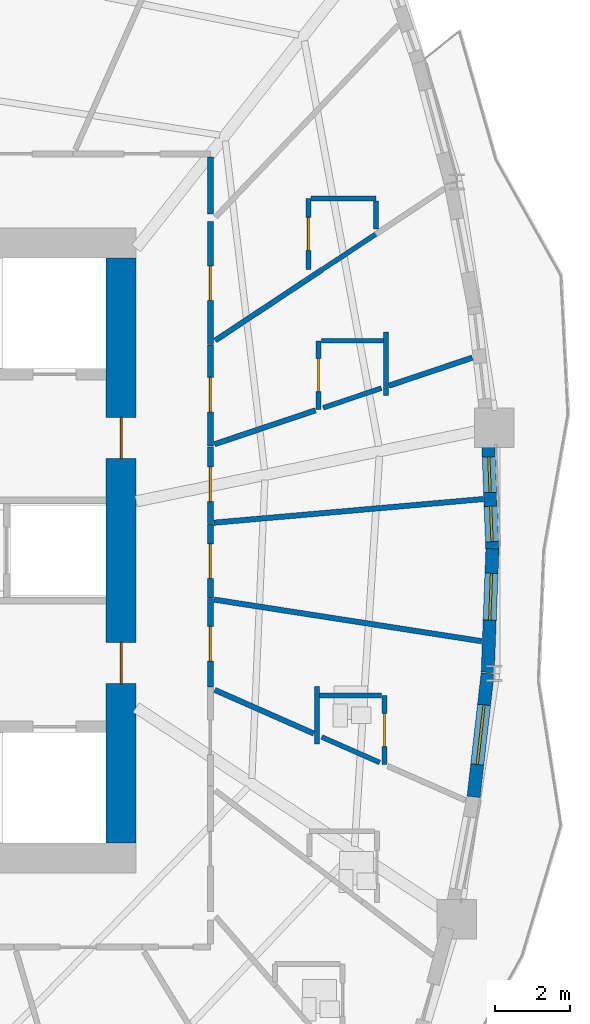
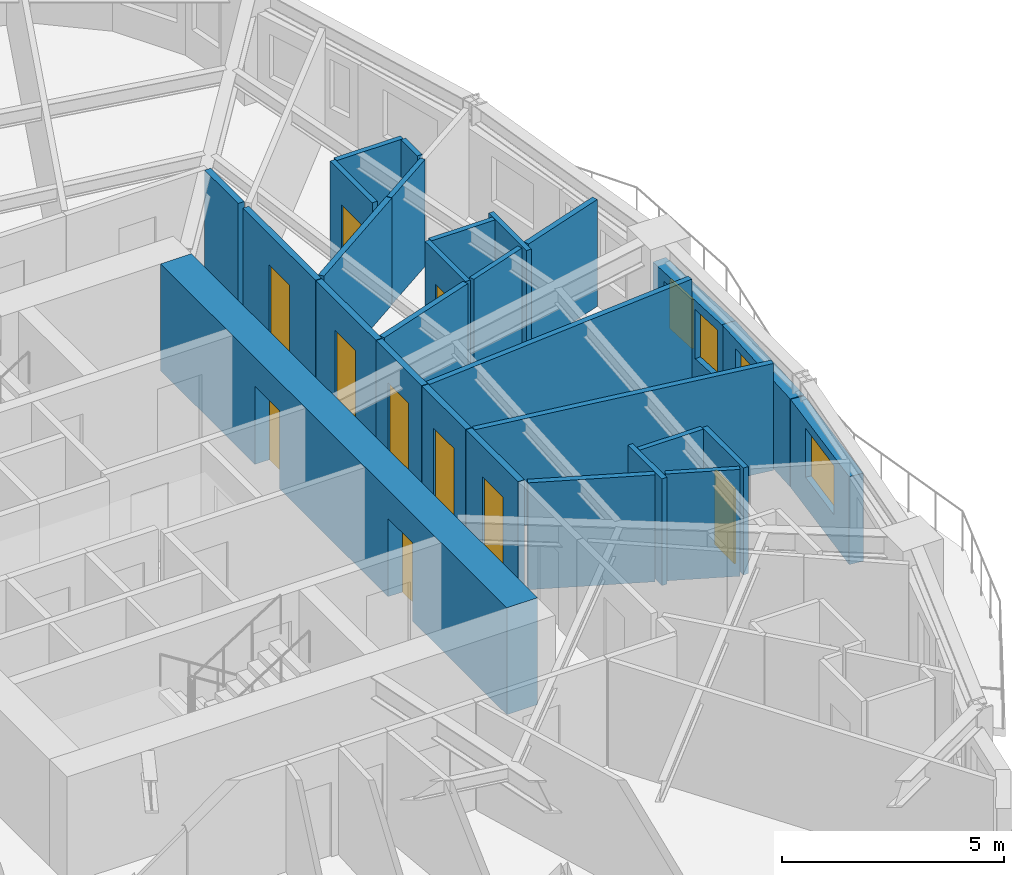
# One storey, part 7 of 13: 28 walls, 10 doors, 4 windows, 14 openings.
"""IFC4 building model written with IfcOpenShell, lengths in metres."""

from ifc_helpers import new_model, si_unit, direction, frame, frame_2d, origin, place, context, subcontext, project, spatial, rectangle, extrude, source, transform, mapped, material, layer, layer_set, type_object, element, fill, save


model = new_model("IFC4")

# Units and contexts
model_context = context("Model", 3, precision=1e-05, world=origin(), true_north=direction((0.0, 1.0)))
body_context = subcontext(model_context, "Body", "Model", "MODEL_VIEW")
ifc_project = project(units=[si_unit("LENGTHUNIT", "METRE"), si_unit("AREAUNIT", "SQUARE_METRE"), si_unit("VOLUMEUNIT", "CUBIC_METRE"), si_unit("PLANEANGLEUNIT", "RADIAN"), si_unit("MASSUNIT", "GRAM", prefix="KILO")], contexts=[model_context])

# Site, building, storey
site_placement = place(None, origin())
site = spatial("IfcSite", under=ifc_project, at=site_placement, CompositionType="ELEMENT")
building_placement = place(site_placement, origin())
building = spatial("IfcBuilding", under=site, at=building_placement, Name="Qafzar Sky-Pleat Residences", CompositionType="ELEMENT")
storey_placement = place(building_placement, frame((0.0, 0.0, 59.0)))
storey = spatial("IfcBuildingStorey", under=building, at=storey_placement, Name="L17", CompositionType="ELEMENT", Elevation=59.0)

# Wall, opening, door
ifc_material_1 = material(Name="Acoustic gypsum plasterboard partition", Category="gypsum")
ifc_layer_1 = layer(ifc_material_1, 0.159912109375)
ifc_layer_set_1 = layer_set([ifc_layer_1], Name="Acoustic gypsum plasterboard partition")
wall_type_1 = type_object("IfcWallType", Name="PART-COR-160", PredefinedType="PARTITIONING", material=ifc_layer_set_1)
wall_1_placement = place(storey_placement, frame((38.679931640625, 34.76904296875, 0.0), z_axis=(0.0, 0.0, 1.0), x_axis=(0.0, -1.0, 0.0)))
wall_1 = element("IfcWall", 1, at=wall_1_placement, inside=storey, type_object=wall_type_1, Name="L17 Partition Wall PART-L17-PW-009", PredefinedType="PARTITIONING", context=body_context, shape_type="SweptSolid", body=[
    extrude(rectangle(XDim=3.27099609375, YDim=0.159912109375, at=frame_2d((1.635498046875, 0.0))), origin(), (0.0, 0.0, 1.0), 2.93994140625),
])
opening_1_placement = place(wall_1_placement, frame((1.177001953125, 0.0, 0.0)))
opening_1 = element("IfcOpeningElement", 2, at=opening_1_placement, cuts=wall_1, Name="Opening ID-04", PredefinedType="OPENING", context=body_context, shape_type="SweptSolid", body=[
    extrude(rectangle(XDim=0.919921875, YDim=2.10009765625, at=frame_2d((0.4599609375, 1.050048828125))), frame((0.0, 0.08984375, 0.0), z_axis=(0.0, -1.0, 0.0), x_axis=(1.0, 0.0, 0.0)), (0.0, 0.0, 1.0), 0.179931640625),
])
ifc_material_2 = material(Name="Timber-faced fire door", Category="wood")
door_type_1 = type_object("IfcDoorType", Name="DR-BED-920", OperationType="NOTDEFINED", PredefinedType="DOOR", material=ifc_material_2)
shared_shape_1 = source(origin(), body_context, "Body", "SweptSolid", [
    extrude(rectangle(XDim=0.919921875, YDim=2.10009765625, at=frame_2d((0.4599609375, 1.050048828125))), frame((0.0, 0.02490234375, 0.0), z_axis=(0.0, -1.0, 0.0), x_axis=(1.0, 0.0, 0.0)), (0.0, 0.0, 1.0), 0.050048828125),
])
door_1_placement = place(opening_1_placement, origin())
door_1 = element("IfcDoor", 3, at=door_1_placement, inside=storey, type_object=door_type_1, Name="L17 Co-Living Bedroom 7 Door", OperationType="SINGLE_SWING_LEFT", OverallHeight=2.10009765625, OverallWidth=0.919921875, PredefinedType="DOOR", context=body_context, shape_type="MappedRepresentation", body=[
    mapped(shared_shape_1, transform((0.0, 0.0, 0.0), x_axis=(1.0, 0.0, 0.0), y_axis=(0.0, 1.0, 0.0), z_axis=(0.0, 0.0, 1.0), scale=1.0)),
])
fill(opening_1, door_1)

wall_2_placement = place(storey_placement, frame((38.679931640625, 31.48291015625, 0.0), z_axis=(0.0, 0.0, 1.0), x_axis=(0.0, -1.0, 0.0)))
wall_2 = element("IfcWall", 4, at=wall_2_placement, inside=storey, type_object=wall_type_1, Name="L17 Partition Wall PART-L17-PW-012", PredefinedType="PARTITIONING", context=body_context, shape_type="SweptSolid", body=[
    extrude(rectangle(XDim=2.701904296875, YDim=0.159912109375, at=frame_2d((1.35107421875, 0.0))), origin(), (0.0, 0.0, 1.0), 2.93994140625),
])
opening_2_placement = place(wall_2_placement, frame((0.866455078125, 0.0, 0.0)))
opening_2 = element("IfcOpeningElement", 5, at=opening_2_placement, cuts=wall_2, Name="Opening ID-04", PredefinedType="OPENING", context=body_context, shape_type="SweptSolid", body=[
    extrude(rectangle(XDim=0.919921875, YDim=2.10009765625, at=frame_2d((0.4599609375, 1.050048828125))), frame((0.0, 0.08984375, 0.0), z_axis=(0.0, -1.0, 0.0), x_axis=(1.0, 0.0, 0.0)), (0.0, 0.0, 1.0), 0.179931640625),
])
door_2_placement = place(opening_2_placement, origin())
door_2 = element("IfcDoor", 6, at=door_2_placement, inside=storey, type_object=door_type_1, Name="L17 Co-Living Bedroom 8 Door", OperationType="SINGLE_SWING_RIGHT", OverallHeight=2.10009765625, OverallWidth=0.919921875, PredefinedType="DOOR", context=body_context, shape_type="MappedRepresentation", body=[
    mapped(shared_shape_1, transform((0.0, 0.0, 0.0), x_axis=(1.0, 0.0, 0.0), y_axis=(0.0, 1.0, 0.0), z_axis=(0.0, 0.0, 1.0), scale=1.0)),
])
fill(opening_2, door_2)

wall_3_placement = place(storey_placement, frame((38.679931640625, 24.719970703125, 0.0), z_axis=(0.0, 0.0, 1.0), x_axis=(0.0, -1.0, 0.0)))
wall_3 = element("IfcWall", 7, at=wall_3_placement, inside=storey, type_object=wall_type_1, Name="L17 Partition Wall PART-L17-PW-015", PredefinedType="PARTITIONING", context=body_context, shape_type="SweptSolid", body=[
    extrude(rectangle(XDim=2.35693359375, YDim=0.159912109375, at=frame_2d((1.178466796875, 0.0))), origin(), (0.0, 0.0, 1.0), 2.93994140625),
])
opening_3_placement = place(wall_3_placement, frame((0.742431640625, 0.0, 0.0)))
opening_3 = element("IfcOpeningElement", 8, at=opening_3_placement, cuts=wall_3, Name="Opening ID-04", PredefinedType="OPENING", context=body_context, shape_type="SweptSolid", body=[
    extrude(rectangle(XDim=0.919921875, YDim=2.10009765625, at=frame_2d((0.4599609375, 1.050048828125))), frame((0.0, 0.08984375, 0.0), z_axis=(0.0, -1.0, 0.0), x_axis=(1.0, 0.0, 0.0)), (0.0, 0.0, 1.0), 0.179931640625),
])
door_3_placement = place(opening_3_placement, origin())
door_3 = element("IfcDoor", 9, at=door_3_placement, inside=storey, type_object=door_type_1, Name="L17 Co-Living Bedroom 4 Door", OperationType="SINGLE_SWING_LEFT", OverallHeight=2.10009765625, OverallWidth=0.919921875, PredefinedType="DOOR", context=body_context, shape_type="MappedRepresentation", body=[
    mapped(shared_shape_1, transform((0.0, 0.0, 0.0), x_axis=(1.0, 0.0, 0.0), y_axis=(0.0, 1.0, 0.0), z_axis=(0.0, 0.0, 1.0), scale=1.0)),
])
fill(opening_3, door_3)

wall_4_placement = place(storey_placement, frame((38.679931640625, 28.76611328125, 0.0), z_axis=(0.0, 0.0, 1.0), x_axis=(0.0, -1.0, 0.0)))
wall_4 = element("IfcWall", 10, at=wall_4_placement, inside=storey, type_object=wall_type_1, Name="L17 Partition Wall PART-L17-PW-017", PredefinedType="PARTITIONING", context=body_context, shape_type="SweptSolid", body=[
    extrude(rectangle(XDim=2.049072265625, YDim=0.159912109375, at=frame_2d((1.0244140625, 0.0))), origin(), (0.0, 0.0, 1.0), 2.93994140625),
])
opening_4_placement = place(wall_4_placement, frame((0.54150390625, 0.0, 0.0)))
opening_4 = element("IfcOpeningElement", 11, at=opening_4_placement, cuts=wall_4, Name="Opening ID-04", PredefinedType="OPENING", context=body_context, shape_type="SweptSolid", body=[
    extrude(rectangle(XDim=0.919921875, YDim=2.10009765625, at=frame_2d((0.4599609375, 1.050048828125))), frame((0.0, 0.08984375, 0.0), z_axis=(0.0, -1.0, 0.0), x_axis=(1.0, 0.0, 0.0)), (0.0, 0.0, 1.0), 0.179931640625),
])
door_4_placement = place(opening_4_placement, origin())
door_4 = element("IfcDoor", 12, at=door_4_placement, inside=storey, type_object=door_type_1, Name="L17 Co-Living Bedroom 5 Door", OperationType="SINGLE_SWING_LEFT", OverallHeight=2.10009765625, OverallWidth=0.919921875, PredefinedType="DOOR", context=body_context, shape_type="MappedRepresentation", body=[
    mapped(shared_shape_1, transform((0.0, 0.0, 0.0), x_axis=(1.0, 0.0, 0.0), y_axis=(0.0, 1.0, 0.0), z_axis=(0.0, 0.0, 1.0), scale=1.0)),
])
fill(opening_4, door_4)

wall_5_placement = place(storey_placement, frame((38.679931640625, 26.701904296875, 0.0), z_axis=(0.0, 0.0, 1.0), x_axis=(0.0, -1.0, 0.0)))
wall_5 = element("IfcWall", 13, at=wall_5_placement, inside=storey, type_object=wall_type_1, Name="L17 Partition Wall PART-L17-PW-018", PredefinedType="PARTITIONING", context=body_context, shape_type="SweptSolid", body=[
    extrude(rectangle(XDim=1.966796875, YDim=0.159912109375, at=frame_2d((0.9833984375, 0.0))), origin(), (0.0, 0.0, 1.0), 2.93994140625),
])
opening_5_placement = place(wall_5_placement, frame((0.52392578125, 0.0, 0.0)))
opening_5 = element("IfcOpeningElement", 14, at=opening_5_placement, cuts=wall_5, Name="Opening ID-04", PredefinedType="OPENING", context=body_context, shape_type="SweptSolid", body=[
    extrude(rectangle(XDim=0.919921875, YDim=2.10009765625, at=frame_2d((0.4599609375, 1.050048828125))), frame((0.0, 0.08984375, 0.0), z_axis=(0.0, -1.0, 0.0), x_axis=(1.0, 0.0, 0.0)), (0.0, 0.0, 1.0), 0.179931640625),
])
door_5_placement = place(opening_5_placement, origin())
door_5 = element("IfcDoor", 15, at=door_5_placement, inside=storey, type_object=door_type_1, Name="L17 Co-Living Bedroom 6 Door", OperationType="SINGLE_SWING_RIGHT", OverallHeight=2.10009765625, OverallWidth=0.919921875, PredefinedType="DOOR", context=body_context, shape_type="MappedRepresentation", body=[
    mapped(shared_shape_1, transform((0.0, 0.0, 0.0), x_axis=(1.0, 0.0, 0.0), y_axis=(0.0, 1.0, 0.0), z_axis=(0.0, 0.0, 1.0), scale=1.0)),
])
fill(opening_5, door_5)

# Walls
wall_6_placement = place(storey_placement, frame((38.679931640625, 34.981201171875, 0.0), z_axis=(0.0, 0.0, 1.0), x_axis=(0.0, 1.0, 0.0)))
element("IfcWall", 16, at=wall_6_placement, inside=storey, type_object=wall_type_1, Name="L17 Partition Wall PART-L17-PW-072", PredefinedType="PARTITIONING", context=body_context, shape_type="SweptSolid", body=[
    extrude(rectangle(XDim=1.5107421875, YDim=0.159912109375, at=frame_2d((0.75537109375, 0.0))), origin(), (0.0, 0.0, 1.0), 2.93994140625),
])
ifc_layer_2 = layer(ifc_material_1, 0.14501953125)
ifc_layer_set_2 = layer_set([ifc_layer_2], Name="Acoustic gypsum plasterboard partition")
wall_type_2 = type_object("IfcWallType", Name="PART-UNIT-145", PredefinedType="PARTITIONING", material=ifc_layer_set_2)
wall_7_placement = place(storey_placement, frame((38.779052734375, 24.688720703125, 0.0), z_axis=(0.0, 0.0, 1.0), x_axis=(0.988134938683, -0.153588225311, 0.0)))
element("IfcWall", 17, at=wall_7_placement, inside=storey, type_object=wall_type_2, Name="L17 Partition Wall PART-L17-PW-044", PredefinedType="PARTITIONING", context=body_context, shape_type="SweptSolid", body=[
    extrude(rectangle(XDim=7.224609375, YDim=0.14501953125, at=frame_2d((3.6123046875, 0.0))), origin(), (0.0, 0.0, 1.0), 2.93994140625),
])
wall_8_placement = place(storey_placement, frame((38.7744140625, 26.740234375, 0.0), z_axis=(0.0, 0.0, 1.0), x_axis=(0.99617095107, 0.087426747871, 0.0)))
element("IfcWall", 18, at=wall_8_placement, inside=storey, type_object=wall_type_2, Name="L17 Partition Wall PART-L17-PW-045", PredefinedType="PARTITIONING", context=body_context, shape_type="SweptSolid", body=[
    extrude(rectangle(XDim=7.2158203125, YDim=0.14501953125, at=frame_2d((3.60791015625, 0.0))), origin(), (0.0, 0.0, 1.0), 2.93994140625),
])
wall_9_placement = place(storey_placement, frame((38.806640625, 31.599853515625, 0.0), z_axis=(0.0, 0.0, 1.0), x_axis=(0.833690999351, 0.552231217518, 0.0)))
element("IfcWall", 19, at=wall_9_placement, inside=storey, type_object=wall_type_2, Name="L17 Partition Wall PART-L17-PW-050", PredefinedType="PARTITIONING", context=body_context, shape_type="SweptSolid", body=[
    extrude(rectangle(XDim=3.42626953125, YDim=0.14501953125, at=frame_2d((1.713134765625, 0.0))), origin(), (0.0, 0.0, 1.0), 2.93994140625),
])
wall_10_placement = place(storey_placement, frame((38.79638671875, 22.27978515625, 0.0), z_axis=(0.0, 0.0, 1.0), x_axis=(0.9151327572, -0.403152622092, 0.0)))
element("IfcWall", 20, at=wall_10_placement, inside=storey, type_object=wall_type_2, Name="L17 Partition Wall PART-L17-PW-053", PredefinedType="PARTITIONING", context=body_context, shape_type="SweptSolid", body=[
    extrude(rectangle(XDim=2.885009765625, YDim=0.14501953125, at=frame_2d((1.4423828125, 0.0))), origin(), (0.0, 0.0, 1.0), 2.93994140625),
])
wall_11_placement = place(storey_placement, frame((38.790771484375, 28.833984375, 0.0), z_axis=(0.0, 0.0, 1.0), x_axis=(0.94801935148, 0.318212679226, 0.0)))
element("IfcWall", 21, at=wall_11_placement, inside=storey, type_object=wall_type_2, Name="L17 Partition Wall PART-L17-PW-054", PredefinedType="PARTITIONING", context=body_context, shape_type="SweptSolid", body=[
    extrude(rectangle(XDim=2.84033203125, YDim=0.14501953125, at=frame_2d((1.420166015625, 0.0))), origin(), (0.0, 0.0, 1.0), 2.93994140625),
])
wall_12_placement = place(storey_placement, frame((43.444580078125, 30.39599609375, 0.0), z_axis=(0.0, 0.0, 1.0), x_axis=(0.947971837268, 0.318354198568, 0.0)))
element("IfcWall", 22, at=wall_12_placement, inside=storey, type_object=wall_type_2, Name="L17 Partition Wall PART-L17-PW-056", PredefinedType="PARTITIONING", context=body_context, shape_type="SweptSolid", body=[
    extrude(rectangle(XDim=2.34130859375, YDim=0.14501953125, at=frame_2d((1.170654296875, 0.0))), origin(), (0.0, 0.0, 1.0), 2.93994140625),
])

# Wall, opening, door
ifc_material_3 = material(Name="Moisture-resistant gypsum partition", Category="gypsum")
ifc_layer_3 = layer(ifc_material_3, 0.1298828125)
ifc_layer_set_3 = layer_set([ifc_layer_3], Name="Moisture-resistant gypsum partition")
wall_type_3 = type_object("IfcWallType", Name="PART-WET-130", PredefinedType="PARTITIONING", material=ifc_layer_set_3)
wall_13_placement = place(storey_placement, frame((41.2939453125, 35.39208984375, 0.0), z_axis=(0.0, 0.0, 1.0), x_axis=(0.0, -1.0, 0.0)))
wall_13 = element("IfcWall", 23, at=wall_13_placement, inside=storey, type_object=wall_type_3, Name="L17 Partition Wall PART-L17-PW-019", PredefinedType="PARTITIONING", context=body_context, shape_type="SweptSolid", body=[
    extrude(rectangle(XDim=1.900146484375, YDim=0.1298828125, at=frame_2d((0.9501953125, 0.0))), origin(), (0.0, 0.0, 1.0), 2.93994140625),
])
opening_6_placement = place(wall_13_placement, frame((0.510009765625, 0.0, 0.0)))
opening_6 = element("IfcOpeningElement", 24, at=opening_6_placement, cuts=wall_13, Name="Opening ID-07", PredefinedType="OPENING", context=body_context, shape_type="SweptSolid", body=[
    extrude(rectangle(XDim=0.8798828125, YDim=2.050048828125, at=frame_2d((0.43994140625, 1.02490234375))), frame((0.0, 0.074951171875, 0.0), z_axis=(0.0, -1.0, 0.0), x_axis=(1.0, 0.0, 0.0)), (0.0, 0.0, 1.0), 0.14990234375),
])
door_type_2 = type_object("IfcDoorType", Name="DR-WET-880", OperationType="NOTDEFINED", PredefinedType="DOOR", material=ifc_material_2)
shared_shape_2 = source(origin(), body_context, "Body", "SweptSolid", [
    extrude(rectangle(XDim=0.8798828125, YDim=2.050048828125, at=frame_2d((0.43994140625, 1.02490234375))), frame((0.0, 0.02490234375, 0.0), z_axis=(0.0, -1.0, 0.0), x_axis=(1.0, 0.0, 0.0)), (0.0, 0.0, 1.0), 0.050048828125),
])
door_6_placement = place(opening_6_placement, origin())
door_6 = element("IfcDoor", 25, at=door_6_placement, inside=storey, type_object=door_type_2, Name="L17 En-suite Bathroom 7 Door", OperationType="SINGLE_SWING_LEFT", OverallHeight=2.050048828125, OverallWidth=0.8798828125, PredefinedType="DOOR", context=body_context, shape_type="MappedRepresentation", body=[
    mapped(shared_shape_2, transform((0.0, 0.0, 0.0), x_axis=(1.0, 0.0, 0.0), y_axis=(0.0, 1.0, 0.0), z_axis=(0.0, 0.0, 1.0), scale=1.0)),
])
fill(opening_6, door_6)

wall_14_placement = place(storey_placement, frame((43.322998046875, 20.285888671875, 0.0), z_axis=(0.0, 0.0, 1.0), x_axis=(0.0, 1.0, 0.0)))
wall_14 = element("IfcWall", 26, at=wall_14_placement, inside=storey, type_object=wall_type_3, Name="L17 Partition Wall PART-L17-PW-025", PredefinedType="PARTITIONING", context=body_context, shape_type="SweptSolid", body=[
    extrude(rectangle(XDim=1.84521484375, YDim=0.1298828125, at=frame_2d((0.922607421875, 0.0))), origin(), (0.0, 0.0, 1.0), 2.93994140625),
])
opening_7_placement = place(wall_14_placement, frame((0.482421875, 0.0, 0.0)))
opening_7 = element("IfcOpeningElement", 27, at=opening_7_placement, cuts=wall_14, Name="Opening ID-07", PredefinedType="OPENING", context=body_context, shape_type="SweptSolid", body=[
    extrude(rectangle(XDim=0.8798828125, YDim=2.050048828125, at=frame_2d((0.43994140625, 1.02490234375))), frame((0.0, 0.074951171875, 0.0), z_axis=(0.0, -1.0, 0.0), x_axis=(1.0, 0.0, 0.0)), (0.0, 0.0, 1.0), 0.14990234375),
])
door_7_placement = place(opening_7_placement, origin())
door_7 = element("IfcDoor", 28, at=door_7_placement, inside=storey, type_object=door_type_2, Name="L17 En-suite Bathroom 4 Door", OperationType="SINGLE_SWING_LEFT", OverallHeight=2.050048828125, OverallWidth=0.8798828125, PredefinedType="DOOR", context=body_context, shape_type="MappedRepresentation", body=[
    mapped(shared_shape_2, transform((0.0, 0.0, 0.0), x_axis=(1.0, 0.0, 0.0), y_axis=(0.0, 1.0, 0.0), z_axis=(0.0, 0.0, 1.0), scale=1.0)),
])
fill(opening_7, door_7)

wall_15_placement = place(storey_placement, frame((41.56396484375, 31.593994140625, 0.0), z_axis=(0.0, 0.0, 1.0), x_axis=(0.0, -1.0, 0.0)))
wall_15 = element("IfcWall", 29, at=wall_15_placement, inside=storey, type_object=wall_type_3, Name="L17 Partition Wall PART-L17-PW-026", PredefinedType="PARTITIONING", context=body_context, shape_type="SweptSolid", body=[
    extrude(rectangle(XDim=1.8291015625, YDim=0.1298828125, at=frame_2d((0.91455078125, 0.0))), origin(), (0.0, 0.0, 1.0), 2.93994140625),
])
opening_8_placement = place(wall_15_placement, frame((0.474609375, 0.0, 0.0)))
opening_8 = element("IfcOpeningElement", 30, at=opening_8_placement, cuts=wall_15, Name="Opening ID-07", PredefinedType="OPENING", context=body_context, shape_type="SweptSolid", body=[
    extrude(rectangle(XDim=0.8798828125, YDim=2.050048828125, at=frame_2d((0.43994140625, 1.02490234375))), frame((0.0, 0.074951171875, 0.0), z_axis=(0.0, -1.0, 0.0), x_axis=(1.0, 0.0, 0.0)), (0.0, 0.0, 1.0), 0.14990234375),
])
door_8_placement = place(opening_8_placement, origin())
door_8 = element("IfcDoor", 31, at=door_8_placement, inside=storey, type_object=door_type_2, Name="L17 En-suite Bathroom 8 Door", OperationType="SINGLE_SWING_RIGHT", OverallHeight=2.050048828125, OverallWidth=0.8798828125, PredefinedType="DOOR", context=body_context, shape_type="MappedRepresentation", body=[
    mapped(shared_shape_2, transform((0.0, 0.0, 0.0), x_axis=(1.0, 0.0, 0.0), y_axis=(0.0, 1.0, 0.0), z_axis=(0.0, 0.0, 1.0), scale=1.0)),
])
fill(opening_8, door_8)

# Walls
wall_16_placement = place(storey_placement, frame((41.650390625, 21.023193359375, 0.0), z_axis=(0.0, 0.0, 1.0), x_axis=(0.915165742406, -0.403077739309, 0.0)))
element("IfcWall", 32, at=wall_16_placement, inside=storey, type_object=wall_type_3, Name="L17 Partition Wall PART-L17-PW-060", PredefinedType="PARTITIONING", context=body_context, shape_type="SweptSolid", body=[
    extrude(rectangle(XDim=1.688720703125, YDim=0.1298828125, at=frame_2d((0.84423828125, 0.0))), origin(), (0.0, 0.0, 1.0), 2.93994140625),
])
wall_17_placement = place(storey_placement, frame((41.6865234375, 29.80615234375, 0.0), z_axis=(0.0, 0.0, 1.0), x_axis=(0.948056253842, 0.318102718553, 0.0)))
element("IfcWall", 33, at=wall_17_placement, inside=storey, type_object=wall_type_3, Name="L17 Partition Wall PART-L17-PW-063", PredefinedType="PARTITIONING", context=body_context, shape_type="SweptSolid", body=[
    extrude(rectangle(XDim=1.64013671875, YDim=0.1298828125, at=frame_2d((0.820068359375, 0.0))), origin(), (0.0, 0.0, 1.0), 2.93994140625),
])
wall_18_placement = place(storey_placement, frame((41.366943359375, 35.39208984375, 0.0), z_axis=(0.0, 0.0, 1.0), x_axis=(1.0, 0.0, 0.0)))
element("IfcWall", 34, at=wall_18_placement, inside=storey, type_object=wall_type_3, Name="L17 Partition Wall PART-L17-PW-065", PredefinedType="PARTITIONING", context=body_context, shape_type="SweptSolid", body=[
    extrude(rectangle(XDim=1.72705078125, YDim=0.1298828125, at=frame_2d((0.863525390625, 0.0))), origin(), (0.0, 0.0, 1.0), 2.93994140625),
])
for number, where, z_axis, x_axis, name in (
    (35, (41.595947265625, 22.131103515625, 0.0), (0.0, 0.0, 1.0), (1.0, 0.0, 0.0), "L17 Partition Wall PART-L17-PW-070"),
    (36, (41.636962890625, 31.593994140625, 0.0), (0.0, 0.0, 1.0), (1.0, 0.0, 0.0), "L17 Partition Wall PART-L17-PW-071"),
):
    element("IfcWall", number, at=place(storey_placement, frame(where, z_axis=z_axis, x_axis=x_axis)), inside=storey, type_object=wall_type_3, Name=name, PredefinedType="PARTITIONING", context=body_context, shape_type="SweptSolid", body=[
        extrude(rectangle(XDim=1.654052734375, YDim=0.1298828125, at=frame_2d((0.8271484375, 0.0))), origin(), (0.0, 0.0, 1.0), 2.93994140625),
    ])
wall_19_placement = place(storey_placement, frame((41.675537109375, 33.500244140625, 0.0), z_axis=(0.0, 0.0, 1.0), x_axis=(0.833939065936, 0.55185653417, 0.0)))
element("IfcWall", 37, at=wall_19_placement, inside=storey, type_object=wall_type_3, Name="L17 Partition Wall PART-L17-PW-076", PredefinedType="PARTITIONING", context=body_context, shape_type="SweptSolid", body=[
    extrude(rectangle(XDim=1.68603515625, YDim=0.1298828125, at=frame_2d((0.843017578125, 0.0))), origin(), (0.0, 0.0, 1.0), 2.93994140625),
])
wall_20_placement = place(storey_placement, frame((43.364013671875, 30.12890625, 0.0), z_axis=(0.0, 0.0, 1.0), x_axis=(0.0, 1.0, 0.0)))
element("IfcWall", 38, at=wall_20_placement, inside=storey, type_object=wall_type_3, Name="L17 Partition Wall PART-L17-PW-080", PredefinedType="PARTITIONING", context=body_context, shape_type="SweptSolid", body=[
    extrude(rectangle(XDim=1.705078125, YDim=0.1298828125, at=frame_2d((0.8525390625, 0.0))), origin(), (0.0, 0.0, 1.0), 2.93994140625),
])
wall_21_placement = place(storey_placement, frame((41.52294921875, 20.839111328125, 0.0), z_axis=(0.0, 0.0, 1.0), x_axis=(0.0, 1.0, 0.0)))
element("IfcWall", 39, at=wall_21_placement, inside=storey, type_object=wall_type_3, Name="L17 Partition Wall PART-L17-PW-081", PredefinedType="PARTITIONING", context=body_context, shape_type="SweptSolid", body=[
    extrude(rectangle(XDim=1.531982421875, YDim=0.1298828125, at=frame_2d((0.76611328125, 0.0))), origin(), (0.0, 0.0, 1.0), 2.93994140625),
])
wall_22_placement = place(storey_placement, frame((43.093994140625, 34.576904296875, 0.0), z_axis=(0.0, 0.0, 1.0), x_axis=(0.0, 1.0, 0.0)))
element("IfcWall", 40, at=wall_22_placement, inside=storey, type_object=wall_type_3, Name="L17 Partition Wall PART-L17-PW-083", PredefinedType="PARTITIONING", context=body_context, shape_type="SweptSolid", body=[
    extrude(rectangle(XDim=0.7421875, YDim=0.1298828125, at=frame_2d((0.37109375, 0.0))), origin(), (0.0, 0.0, 1.0), 2.93994140625),
])

# Wall, opening, window
ifc_material_4 = material(Name="Precast concrete C40/50 with honed Riyadh limestone", Category="concrete")
ifc_layer_4 = layer(ifc_material_4, 0.35009765625)
ifc_layer_set_4 = layer_set([ifc_layer_4], Name="Precast concrete C40/50 with honed Riyadh limestone")
wall_type_4 = type_object("IfcWallType", Name="WALL-EXT-350", PredefinedType="SOLIDWALL", material=ifc_layer_set_4)
wall_23_placement = place(storey_placement, frame((45.7001953125, 19.42626953125, 0.0), z_axis=(0.0, 0.0, 1.0), x_axis=(0.113266370988, 0.993564657787, 0.0)))
wall_23 = element("IfcWall", 41, at=wall_23_placement, inside=storey, type_object=wall_type_4, Name="L17 Limestone Facade Wall 26", PredefinedType="SOLIDWALL", context=body_context, shape_type="SweptSolid", body=[
    extrude(rectangle(XDim=3.317138671875, YDim=0.35009765625, at=frame_2d((1.65869140625, 0.0))), origin(), (0.0, 0.0, 1.0), 2.419921875),
])
opening_9_placement = place(wall_23_placement, frame((0.86865234375, 0.0, 0.820068359375)))
opening_9 = element("IfcOpeningElement", 42, at=opening_9_placement, cuts=wall_23, Name="Opening WN-09", PredefinedType="OPENING", context=body_context, shape_type="SweptSolid", body=[
    extrude(rectangle(XDim=1.60009765625, YDim=1.35009765625, at=frame_2d((0.800048828125, 0.675048828125))), frame((0.0, 0.18505859375, 0.0), z_axis=(0.0, -1.0, 0.0), x_axis=(1.0, 0.0, 0.0)), (0.0, 0.0, 1.0), 0.3701171875),
])
ifc_material_5 = material(Name="Solar-control low-E glass in bronze aluminium frame", Category="glass")
window_type_1 = type_object("IfcWindowType", Name="WIN-09", PartitioningType="DOUBLE_PANEL_VERTICAL", PredefinedType="WINDOW", material=ifc_material_5)
shared_shape_3 = source(origin(), body_context, "Body", "SweptSolid", [
    extrude(rectangle(XDim=1.60009765625, YDim=1.35009765625, at=frame_2d((0.800048828125, 0.675048828125))), frame((0.0, 0.030029296875, 0.0), z_axis=(0.0, -1.0, 0.0), x_axis=(1.0, 0.0, 0.0)), (0.0, 0.0, 1.0), 0.06005859375),
])
window_1_placement = place(opening_9_placement, origin())
window_1 = element("IfcWindow", 43, at=window_1_placement, inside=storey, type_object=window_type_1, Name="L17 Punched Facade Window 26", OverallHeight=1.35009765625, OverallWidth=1.60009765625, PartitioningType="SINGLE_PANEL", PredefinedType="WINDOW", context=body_context, shape_type="MappedRepresentation", body=[
    mapped(shared_shape_3, transform((0.0, 0.0, 0.0), x_axis=(1.0, 0.0, 0.0), y_axis=(0.0, 1.0, 0.0), z_axis=(0.0, 0.0, 1.0), scale=1.0)),
])
fill(opening_9, window_1)

wall_24_placement = place(storey_placement, frame((46.077880859375, 22.748779296875, 0.0), z_axis=(0.0, 0.0, 1.0), x_axis=(0.037972593677, 0.999278780986, 0.0)))
wall_24 = element("IfcWall", 44, at=wall_24_placement, inside=storey, type_object=wall_type_4, Name="L17 Limestone Facade Wall 27", PredefinedType="SOLIDWALL", context=body_context, shape_type="SweptSolid", body=[
    extrude(rectangle(XDim=3.29833984375, YDim=0.35009765625, at=frame_2d((1.649169921875, 0.0))), origin(), (0.0, 0.0, 1.0), 2.419921875),
])
opening_10_placement = place(wall_24_placement, frame((1.394287109375, 0.0, 0.820068359375)))
opening_10 = element("IfcOpeningElement", 45, at=opening_10_placement, cuts=wall_24, Name="Opening WN-11", PredefinedType="OPENING", context=body_context, shape_type="SweptSolid", body=[
    extrude(rectangle(XDim=1.25, YDim=1.35009765625, at=frame_2d((0.625, 0.675048828125))), frame((0.0, 0.18505859375, 0.0), z_axis=(0.0, -1.0, 0.0), x_axis=(1.0, 0.0, 0.0)), (0.0, 0.0, 1.0), 0.3701171875),
])
window_type_2 = type_object("IfcWindowType", Name="WIN-11", PartitioningType="SINGLE_PANEL", PredefinedType="WINDOW", material=ifc_material_5)
shared_shape_4 = source(origin(), body_context, "Body", "SweptSolid", [
    extrude(rectangle(XDim=1.25, YDim=1.35009765625, at=frame_2d((0.625, 0.675048828125))), frame((0.0, 0.030029296875, 0.0), z_axis=(0.0, -1.0, 0.0), x_axis=(1.0, 0.0, 0.0)), (0.0, 0.0, 1.0), 0.06005859375),
])
window_2_placement = place(opening_10_placement, origin())
window_2 = element("IfcWindow", 46, at=window_2_placement, inside=storey, type_object=window_type_2, Name="L17 Punched Facade Window 27-2", OverallHeight=1.35009765625, OverallWidth=1.25, PartitioningType="SINGLE_PANEL", PredefinedType="WINDOW", context=body_context, shape_type="MappedRepresentation", body=[
    mapped(shared_shape_4, transform((0.0, 0.0, 0.0), x_axis=(1.0, 0.0, 0.0), y_axis=(0.0, 1.0, 0.0), z_axis=(0.0, 0.0, 1.0), scale=1.0)),
])
fill(opening_10, window_2)

# Wall, openings, windows
wall_25_placement = place(storey_placement, frame((46.203125, 25.955322265625, 0.0), z_axis=(0.0, 0.0, 1.0), x_axis=(-0.038016855762, 0.999277098045, 0.0)))
wall_25 = element("IfcWall", 47, at=wall_25_placement, inside=storey, type_object=wall_type_4, Name="L17 Limestone Facade Wall 28", PredefinedType="SOLIDWALL", context=body_context, shape_type="SweptSolid", body=[
    extrude(rectangle(XDim=3.018310546875, YDim=0.35009765625, at=frame_2d((1.50927734375, 0.0))), origin(), (0.0, 0.0, 1.0), 2.419921875),
])
opening_11_placement = place(wall_25_placement, frame((0.27734375, 0.0, 0.820068359375)))
opening_11 = element("IfcOpeningElement", 48, at=opening_11_placement, cuts=wall_25, Name="Opening WN-12", PredefinedType="OPENING", context=body_context, shape_type="SweptSolid", body=[
    extrude(rectangle(XDim=0.949951171875, YDim=1.35009765625, at=frame_2d((0.47509765625, 0.675048828125))), frame((0.0, 0.18505859375, 0.0), z_axis=(0.0, -1.0, 0.0), x_axis=(1.0, 0.0, 0.0)), (0.0, 0.0, 1.0), 0.3701171875),
])
opening_12_placement = place(wall_25_placement, frame((1.591796875, 0.0, 0.820068359375)))
opening_12 = element("IfcOpeningElement", 49, at=opening_12_placement, cuts=wall_25, Name="Opening WN-12", PredefinedType="OPENING", context=body_context, shape_type="SweptSolid", body=[
    extrude(rectangle(XDim=0.949951171875, YDim=1.35009765625, at=frame_2d((0.47509765625, 0.675048828125))), frame((0.0, 0.18505859375, 0.0), z_axis=(0.0, -1.0, 0.0), x_axis=(1.0, 0.0, 0.0)), (0.0, 0.0, 1.0), 0.3701171875),
])
window_type_3 = type_object("IfcWindowType", Name="WIN-12", PartitioningType="SINGLE_PANEL", PredefinedType="WINDOW", material=ifc_material_5)
shared_shape_5 = source(origin(), body_context, "Body", "SweptSolid", [
    extrude(rectangle(XDim=0.949951171875, YDim=1.35009765625, at=frame_2d((0.47509765625, 0.675048828125))), frame((0.0, 0.030029296875, 0.0), z_axis=(0.0, -1.0, 0.0), x_axis=(1.0, 0.0, 0.0)), (0.0, 0.0, 1.0), 0.06005859375),
])
window_3_placement = place(opening_11_placement, origin())
window_3 = element("IfcWindow", 50, at=window_3_placement, inside=storey, type_object=window_type_3, Name="L17 Punched Facade Window 28", OverallHeight=1.35009765625, OverallWidth=0.949951171875, PartitioningType="SINGLE_PANEL", PredefinedType="WINDOW", context=body_context, shape_type="MappedRepresentation", body=[
    mapped(shared_shape_5, transform((0.0, 0.0, 0.0), x_axis=(1.0, 0.0, 0.0), y_axis=(0.0, 1.0, 0.0), z_axis=(0.0, 0.0, 1.0), scale=1.0)),
])
fill(opening_11, window_3)
window_4_placement = place(opening_12_placement, origin())
window_4 = element("IfcWindow", 51, at=window_4_placement, inside=storey, type_object=window_type_3, Name="L17 Punched Facade Window 28-2", OverallHeight=1.35009765625, OverallWidth=0.949951171875, PartitioningType="SINGLE_PANEL", PredefinedType="WINDOW", context=body_context, shape_type="MappedRepresentation", body=[
    mapped(shared_shape_5, transform((0.0, 0.0, 0.0), x_axis=(1.0, 0.0, 0.0), y_axis=(0.0, 1.0, 0.0), z_axis=(0.0, 0.0, 1.0), scale=1.0)),
])
fill(opening_12, window_4)

# Wall, openings, doors
ifc_material_6 = material(Name="Concrete C60/75", Category="concrete")
ifc_layer_5 = layer(ifc_material_6, 0.800048828125)
ifc_layer_set_5 = layer_set([ifc_layer_5], Name="Concrete C60/75")
wall_type_5 = type_object("IfcWallType", Name="WALL-SHEAR-800", PredefinedType="SHEAR", material=ifc_layer_set_5)
wall_26_placement = place(storey_placement, frame((36.300048828125, 18.199951171875, 0.0), z_axis=(0.0, 0.0, 1.0), x_axis=(0.0, 1.0, 0.0)))
wall_26 = element("IfcWall", 52, at=wall_26_placement, inside=storey, type_object=wall_type_5, Name="L17 CORE wall E", PredefinedType="SHEAR", context=body_context, shape_type="SweptSolid", body=[
    extrude(rectangle(XDim=15.60009765625, YDim=0.800048828125, at=frame_2d((7.800048828125, 0.0))), origin(), (0.0, 0.0, 1.0), 2.93994140625),
])
opening_13_placement = place(wall_26_placement, frame((4.25, 0.0, 0.0)))
opening_13 = element("IfcOpeningElement", 53, at=opening_13_placement, cuts=wall_26, Name="Opening ID-02", PredefinedType="OPENING", context=body_context, shape_type="SweptSolid", body=[
    extrude(rectangle(XDim=1.10009765625, YDim=2.14990234375, at=frame_2d((0.550048828125, 1.074951171875))), frame((0.0, 0.41015625, 0.0), z_axis=(0.0, -1.0, 0.0), x_axis=(1.0, 0.0, 0.0)), (0.0, 0.0, 1.0), 0.820068359375),
])
opening_14_placement = place(wall_26_placement, frame((10.25, 0.0, 0.0)))
opening_14 = element("IfcOpeningElement", 54, at=opening_14_placement, cuts=wall_26, Name="Opening ID-02", PredefinedType="OPENING", context=body_context, shape_type="SweptSolid", body=[
    extrude(rectangle(XDim=1.10009765625, YDim=2.14990234375, at=frame_2d((0.550048828125, 1.074951171875))), frame((0.0, 0.41015625, 0.0), z_axis=(0.0, -1.0, 0.0), x_axis=(1.0, 0.0, 0.0)), (0.0, 0.0, 1.0), 0.820068359375),
])
door_type_3 = type_object("IfcDoorType", Name="DR-FFL-1100", OperationType="NOTDEFINED", PredefinedType="DOOR", material=ifc_material_2)
shared_shape_6 = source(origin(), body_context, "Body", "SweptSolid", [
    extrude(rectangle(XDim=1.10009765625, YDim=2.14990234375, at=frame_2d((0.550048828125, 1.074951171875))), frame((0.0, 0.02490234375, 0.0), z_axis=(0.0, -1.0, 0.0), x_axis=(1.0, 0.0, 0.0)), (0.0, 0.0, 1.0), 0.050048828125),
])
door_9_placement = place(opening_13_placement, origin())
door_9 = element("IfcDoor", 55, at=door_9_placement, inside=storey, type_object=door_type_3, Name="L17 Firefighting Lobby South Corridor Door", OperationType="SINGLE_SWING_LEFT", OverallHeight=2.14990234375, OverallWidth=1.10009765625, PredefinedType="DOOR", context=body_context, shape_type="MappedRepresentation", body=[
    mapped(shared_shape_6, transform((0.0, 0.0, 0.0), x_axis=(1.0, 0.0, 0.0), y_axis=(0.0, 1.0, 0.0), z_axis=(0.0, 0.0, 1.0), scale=1.0)),
])
fill(opening_13, door_9)
door_10_placement = place(opening_14_placement, origin())
door_10 = element("IfcDoor", 56, at=door_10_placement, inside=storey, type_object=door_type_3, Name="L17 Firefighting Lobby North Corridor Door", OperationType="SINGLE_SWING_RIGHT", OverallHeight=2.14990234375, OverallWidth=1.10009765625, PredefinedType="DOOR", context=body_context, shape_type="MappedRepresentation", body=[
    mapped(shared_shape_6, transform((0.0, 0.0, 0.0), x_axis=(1.0, 0.0, 0.0), y_axis=(0.0, 1.0, 0.0), z_axis=(0.0, 0.0, 1.0), scale=1.0)),
])
fill(opening_14, door_10)

save(model, "model.ifc")
